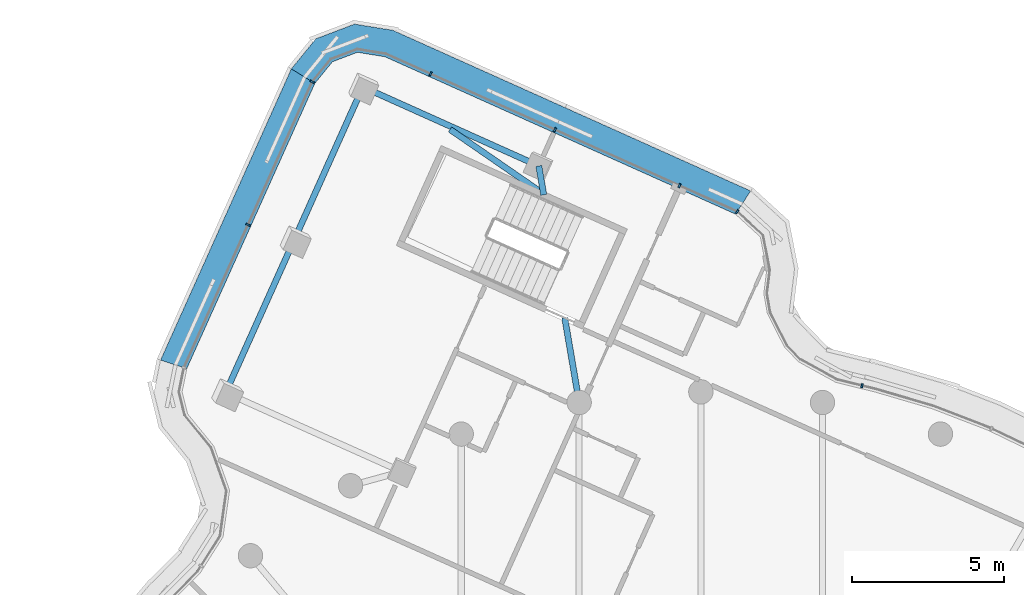
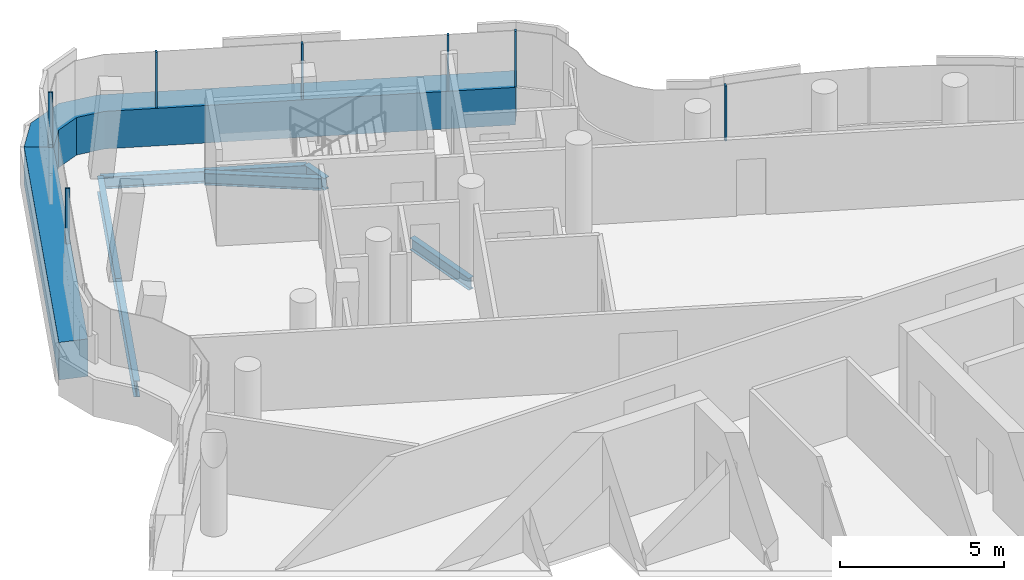
# One storey, part 10 of 21: 9 members, 6 beams, 3 elements without a shape of their own.
"""IFC4 building model written with IfcOpenShell, lengths in metres."""

from ifc_helpers import new_model, si_unit, direction, frame, origin, origin_2d, place, context, subcontext, project, spatial, polyline, rectangle, i_section, outline, extrude, material, layer, layer_set, material_profile, profile_set, type_object, element, aggregate, save


model = new_model("IFC4")

# Units and contexts
model_context = context("Model", 3, precision=1e-05, world=origin(), true_north=direction((0.0, 1.0)))
body_context = subcontext(model_context, "Body", "Model", "MODEL_VIEW")
ifc_project = project(units=[si_unit("LENGTHUNIT", "METRE"), si_unit("AREAUNIT", "SQUARE_METRE"), si_unit("VOLUMEUNIT", "CUBIC_METRE"), si_unit("PLANEANGLEUNIT", "RADIAN"), si_unit("MASSUNIT", "GRAM", prefix="KILO")], contexts=[model_context])

# Site, building, storey
site_placement = place(None, origin())
site = spatial("IfcSite", under=ifc_project, at=site_placement, CompositionType="ELEMENT")
building_placement = place(site_placement, origin())
building = spatial("IfcBuilding", under=site, at=building_placement, Name="Tamarind Cross Interchange Tower", CompositionType="ELEMENT")
storey_placement = place(building_placement, frame((0.0, 0.0, 271.199951171875)))
storey = spatial("IfcBuildingStorey", under=building, at=storey_placement, Name="L69", CompositionType="ELEMENT", Elevation=271.199951171875)

# Beams
ifc_material_1 = material(Name="Steel Q355B", Category="steel")
ifc_material_profile_1 = material_profile(ifc_material_1, i_section(OverallWidth=0.198974609375, OverallDepth=0.446044921875, WebThickness=0.008056640625, FlangeThickness=0.011962890625, FilletRadius=0.012939453125, at=origin_2d()), Name="HN 446x199x8x12")
ifc_profile_set_1 = profile_set([ifc_material_profile_1], Name="Steel Q355B")
beam_type_1 = type_object("IfcBeamType", Name="Composite beam HN 446x199x8x12 Q355B", PredefinedType="BEAM", material=ifc_profile_set_1)
beam_1_placement = place(storey_placement, frame((-11.095947265625, 33.01025390625, -0.363037109375), z_axis=(0.912288349859, -0.409548491281, 0.0), x_axis=(0.409548491281, 0.912288349859, 0.0)))
element("IfcBeam", 1, at=beam_1_placement, inside=storey, type_object=beam_type_1, Name="Beam N-edgeem4", PredefinedType="BEAM", context=body_context, shape_type="SweptSolid", body=[
    extrude(i_section(OverallWidth=0.198974609375, OverallDepth=0.446044921875, WebThickness=0.008056640625, FlangeThickness=0.011962890625, FilletRadius=0.012939453125, at=origin_2d()), origin(), (0.0, 0.0, 1.0), 6.33203125),
])
beam_2_placement = place(storey_placement, frame((-5.3193359375, 30.4169921875, -0.363037109375), z_axis=(0.168260429572, -0.985742576863, 0.0), x_axis=(0.985742576863, 0.168260429572, 0.0)))
element("IfcBeam", 2, at=beam_2_placement, inside=storey, type_object=beam_type_1, Name="Beam N-linkemt0", PredefinedType="BEAM", context=body_context, shape_type="SweptSolid", body=[
    extrude(i_section(OverallWidth=0.198974609375, OverallDepth=0.446044921875, WebThickness=0.008056640625, FlangeThickness=0.011962890625, FilletRadius=0.012939453125, at=origin_2d()), origin(), (0.0, 0.0, 1.0), 0.96337890625),
])
beam_3_placement = place(storey_placement, frame((-4.468505859375, 25.43115234375, -0.363037109375), z_axis=(0.168257489253, -0.985743078754, 0.0), x_axis=(0.985743078754, 0.168257489253, 0.0)))
element("IfcBeam", 3, at=beam_3_placement, inside=storey, type_object=beam_type_1, Name="Beam N-linkemt1", PredefinedType="BEAM", context=body_context, shape_type="SweptSolid", body=[
    extrude(i_section(OverallWidth=0.198974609375, OverallDepth=0.446044921875, WebThickness=0.008056640625, FlangeThickness=0.011962890625, FilletRadius=0.012939453125, at=origin_2d()), origin(), (0.0, 0.0, 1.0), 2.82080078125),
])
beam_4_placement = place(storey_placement, frame((-5.276611328125, 29.57568359375, -0.363037109375), z_axis=(-0.823057244167, 0.56795842526, 0.0), x_axis=(-0.56795842526, -0.823057244167, 0.0)))
element("IfcBeam", 4, at=beam_4_placement, inside=storey, type_object=beam_type_1, Name="Beam N-tr0s1", PredefinedType="BEAM", context=body_context, shape_type="SweptSolid", body=[
    extrude(i_section(OverallWidth=0.198974609375, OverallDepth=0.446044921875, WebThickness=0.008056640625, FlangeThickness=0.011962890625, FilletRadius=0.012939453125, at=origin_2d()), origin(), (0.0, 0.0, 1.0), 3.5927734375),
])
ifc_material_profile_2 = material_profile(ifc_material_1, i_section(OverallWidth=0.198974609375, OverallDepth=0.595947265625, WebThickness=0.010009765625, FlangeThickness=0.014892578125, FilletRadius=0.012939453125, at=origin_2d()), Name="HN 596x199x10x15")
ifc_profile_set_2 = profile_set([ifc_material_profile_2], Name="Steel Q355B")
beam_type_2 = type_object("IfcBeamType", Name="Composite beam HN 596x199x10x15 Q355B", PredefinedType="BEAM", material=ifc_profile_set_2)
beam_5_placement = place(storey_placement, frame((-11.095947265625, 33.01025390625, -0.43798828125), z_axis=(-0.409537627097, -0.912293226979, 0.0), x_axis=(0.912293226979, -0.409537627097, 0.0)))
element("IfcBeam", 5, at=beam_5_placement, inside=storey, type_object=beam_type_2, Name="Beam N-tip0", PredefinedType="BEAM", context=body_context, shape_type="SweptSolid", body=[
    extrude(i_section(OverallWidth=0.198974609375, OverallDepth=0.595947265625, WebThickness=0.010009765625, FlangeThickness=0.014892578125, FilletRadius=0.012939453125, at=origin_2d()), origin(), (0.0, 0.0, 1.0), 5.5),
])
beam_6_placement = place(storey_placement, frame((-13.348388671875, 27.99267578125, -0.43798828125), z_axis=(-0.40959115678, -0.912269195078, 0.0), x_axis=(0.912269195078, -0.40959115678, 0.0)))
element("IfcBeam", 6, at=beam_6_placement, inside=storey, type_object=beam_type_2, Name="Beam N-tip1", PredefinedType="BEAM", context=body_context, shape_type="SweptSolid", body=[
    extrude(i_section(OverallWidth=0.198974609375, OverallDepth=0.595947265625, WebThickness=0.010009765625, FlangeThickness=0.014892578125, FilletRadius=0.012939453125, at=origin_2d()), origin(), (0.0, 0.0, 1.0), 5.499755859375),
])

# Curtain wall, member
ifc_material_2 = material(Name="Aluminium 6063-T6", Category="aluminium")
ifc_layer = layer(ifc_material_2, 0.139892578125)
ifc_layer_set = layer_set([ifc_layer], Name="Aluminium 6063-T6")
curtain_wall_type = type_object("IfcCurtainWallType", Name="Hotel curtain wall, 4.5 m bays", PredefinedType="NOTDEFINED", material=ifc_layer_set)
curtain_wall_1_placement = place(storey_placement, origin())
curtain_wall_1 = element("IfcCurtainWall", 7, at=curtain_wall_1_placement, inside=storey, type_object=curtain_wall_type, Name="CWS-L69-00", PredefinedType="NOTDEFINED")
ifc_material_3 = material(Name="Aluminium and insulated spandrel panel", Category="aluminium")
member_type_1 = type_object("IfcMemberType", Name="Floor-edge blade transom", PredefinedType="USERDEFINED", material=ifc_material_3)
member_1_placement = place(storey_placement, origin())
member_1 = element("IfcMember", 8, at=member_1_placement, type_object=member_type_1, Name="CWT-L69-00", ObjectType="TRANSOM", PredefinedType="USERDEFINED", context=body_context, shape_type="SweptSolid", body=[
    extrude(outline(polyline([(-12.671630859375, 33.12646484375), (-16.875244140625, 23.762939453125), (-17.7373046875, 24.040283203125), (-13.444091796875, 33.60302734375), (-12.671630859375, 33.12646484375)])), origin(), (0.0, 0.0, 1.0), 1.400146484375),
])

curtain_wall_2_placement = place(storey_placement, origin())
curtain_wall_2 = element("IfcCurtainWall", 9, at=curtain_wall_2_placement, inside=storey, type_object=curtain_wall_type, Name="CWS-L69-02", PredefinedType="NOTDEFINED")
member_2_placement = place(storey_placement, origin())
member_2 = element("IfcMember", 10, at=member_2_placement, type_object=member_type_1, Name="CWT-L69-02", ObjectType="TRANSOM", PredefinedType="USERDEFINED", context=body_context, shape_type="SweptSolid", body=[
    extrude(outline(polyline([(1.13671875, 28.833984375), (-10.372314453125, 34.000732421875), (-11.27587890625, 34.146728515625), (-12.09326171875, 33.8359375), (-12.671630859375, 33.12646484375), (-13.444091796875, 33.60302734375), (-12.638671875, 34.591552734375), (-11.370361328125, 35.07373046875), (-10.11181640625, 34.870361328125), (1.636962890625, 29.595947265625), (1.13671875, 28.833984375)])), origin(), (0.0, 0.0, 1.0), 1.400146484375),
])

# Member
ifc_material_profile_3 = material_profile(ifc_material_2, rectangle(XDim=0.06005859375, YDim=0.139892578125, at=origin_2d()), Name="Mullion CW2")
ifc_profile_set_3 = profile_set([ifc_material_profile_3], Name="Aluminium 6063-T6")
member_type_2 = type_object("IfcMemberType", Name="Mullion CW2", PredefinedType="MULLION", material=ifc_profile_set_3)
member_3_placement = place(storey_placement, frame((-12.75732421875, 33.179443359375, 1.400146484375), z_axis=(0.0, 0.0, 1.0), x_axis=(-0.525138983127, -0.851016479512, 0.0)))
member_3 = element("IfcMember", 11, at=member_3_placement, type_object=member_type_2, Name="CWM-L69-00-00", PredefinedType="MULLION", context=body_context, shape_type="SweptSolid", body=[
    extrude(rectangle(XDim=0.06005859375, YDim=0.139892578125, at=origin_2d()), origin(), (0.0, 0.0, 1.0), 2.059814453125),
])

member_4_placement = place(storey_placement, frame((-14.8642578125, 28.486572265625, 1.400146484375), z_axis=(0.0, 0.0, 1.0), x_axis=(-0.409566405741, -0.91228030741, 0.0)))
member_4 = element("IfcMember", 12, at=member_4_placement, type_object=member_type_2, Name="CWM-L69-00-01", PredefinedType="MULLION", context=body_context, shape_type="SweptSolid", body=[
    extrude(rectangle(XDim=0.06005859375, YDim=0.139892578125, at=origin_2d()), origin(), (0.0, 0.0, 1.0), 2.059814453125),
])

aggregate(curtain_wall_1, [member_3, member_4, member_1])

# Curtain wall, member
curtain_wall_3_placement = place(storey_placement, origin())
curtain_wall_3 = element("IfcCurtainWall", 13, at=curtain_wall_3_placement, inside=storey, type_object=curtain_wall_type, Name="CWS-L69-01", PredefinedType="NOTDEFINED")
member_5_placement = place(storey_placement, frame((5.2919921875, 23.203369140625, 1.400146484375), z_axis=(0.0, 0.0, 1.0), x_axis=(-0.971160307945, 0.238427465434, 0.0)))
member_5 = element("IfcMember", 14, at=member_5_placement, type_object=member_type_2, Name="CWM-L69-01-29", PredefinedType="MULLION", context=body_context, shape_type="SweptSolid", body=[
    extrude(rectangle(XDim=0.06005859375, YDim=0.139892578125, at=origin_2d()), origin(), (0.0, 0.0, 1.0), 2.059814453125),
])
aggregate(curtain_wall_3, [member_5])

# Member
member_6_placement = place(storey_placement, frame((1.192138671875, 28.918701171875, 1.400146484375), z_axis=(0.0, 0.0, 1.0), x_axis=(-0.835849419978, 0.548958784538, 0.0)))
member_6 = element("IfcMember", 15, at=member_6_placement, type_object=member_type_2, Name="CWM-L69-02-00", PredefinedType="MULLION", context=body_context, shape_type="SweptSolid", body=[
    extrude(rectangle(XDim=0.06005859375, YDim=0.139892578125, at=origin_2d()), origin(), (0.0, 0.0, 1.0), 2.059814453125),
])

member_7_placement = place(storey_placement, frame((-0.7021484375, 29.76904296875, 1.400146484375), z_axis=(0.0, 0.0, 1.0), x_axis=(-0.91228030741, 0.409566405741, 0.0)))
member_7 = element("IfcMember", 16, at=member_7_placement, type_object=member_type_2, Name="CWM-L69-02-01", PredefinedType="MULLION", context=body_context, shape_type="SweptSolid", body=[
    extrude(rectangle(XDim=0.06005859375, YDim=0.139892578125, at=origin_2d()), origin(), (0.0, 0.0, 1.0), 2.059814453125),
])

member_8_placement = place(storey_placement, frame((-4.78857421875, 31.603759765625, 1.400146484375), z_axis=(0.0, 0.0, 1.0), x_axis=(-0.91228030741, 0.409566405741, 0.0)))
member_8 = element("IfcMember", 17, at=member_8_placement, type_object=member_type_2, Name="CWM-L69-02-02", PredefinedType="MULLION", context=body_context, shape_type="SweptSolid", body=[
    extrude(rectangle(XDim=0.06005859375, YDim=0.139892578125, at=origin_2d()), origin(), (0.0, 0.0, 1.0), 2.059814453125),
])

member_9_placement = place(storey_placement, frame((-8.874755859375, 33.438232421875, 1.400146484375), z_axis=(0.0, 0.0, 1.0), x_axis=(-0.91228030741, 0.409566405741, 0.0)))
member_9 = element("IfcMember", 18, at=member_9_placement, type_object=member_type_2, Name="CWM-L69-02-03", PredefinedType="MULLION", context=body_context, shape_type="SweptSolid", body=[
    extrude(rectangle(XDim=0.06005859375, YDim=0.139892578125, at=origin_2d()), origin(), (0.0, 0.0, 1.0), 2.059814453125),
])

aggregate(curtain_wall_2, [member_6, member_7, member_8, member_9, member_2])

save(model, "model.ifc")
